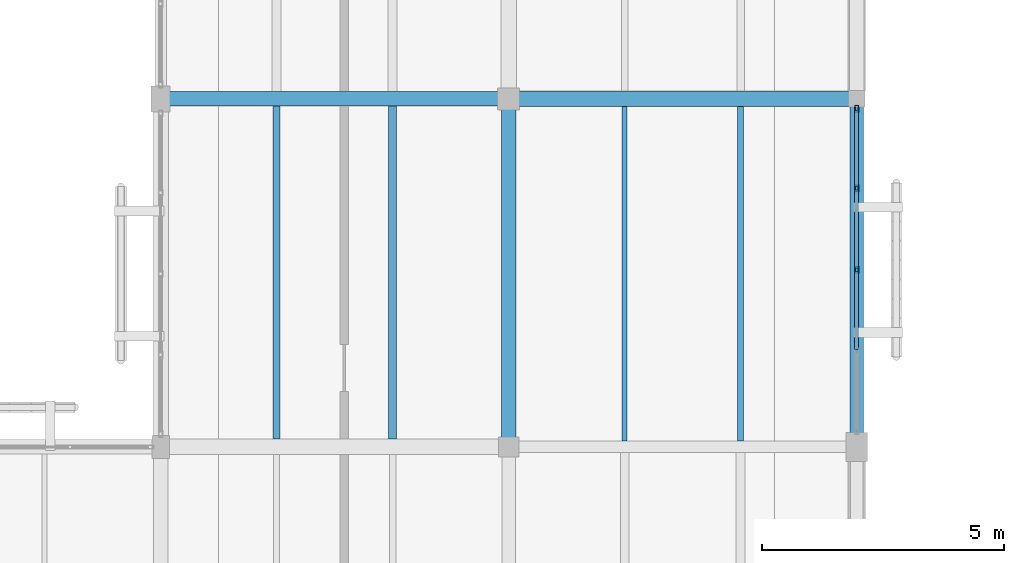
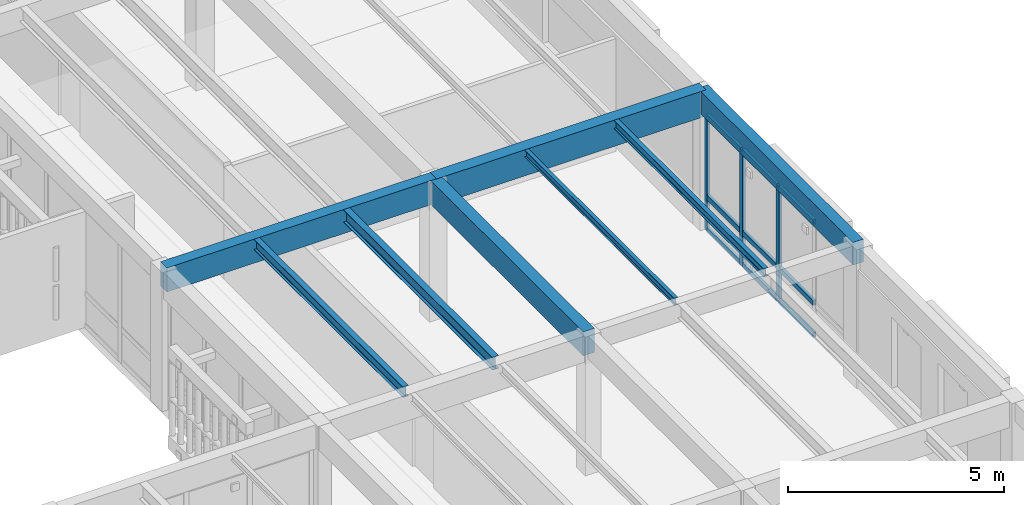
# One storey, part 34 of 112: 12 members, 8 beams, 1 element without a shape of its own.
"""IFC4 building model written with IfcOpenShell, lengths in metres."""

from ifc_helpers import new_model, si_unit, direction, frame, origin, origin_2d, place, context, subcontext, project, spatial, rectangle, hollow_rectangle, i_section, extrude, material, layer, layer_set, material_profile, profile_set, type_object, element, aggregate, save


model = new_model("IFC4")

# Units and contexts
model_context = context("Model", 3, precision=1e-05, world=origin(), true_north=direction((0.0, 1.0)))
body_context = subcontext(model_context, "Body", "Model", "MODEL_VIEW")
ifc_project = project(units=[si_unit("LENGTHUNIT", "METRE"), si_unit("AREAUNIT", "SQUARE_METRE"), si_unit("VOLUMEUNIT", "CUBIC_METRE"), si_unit("PLANEANGLEUNIT", "RADIAN"), si_unit("MASSUNIT", "GRAM", prefix="KILO")], contexts=[model_context])

# Site, building, storey
site_placement = place(None, origin())
site = spatial("IfcSite", under=ifc_project, at=site_placement, CompositionType="ELEMENT")
building_placement = place(site_placement, origin())
building = spatial("IfcBuilding", under=site, at=building_placement, Name="Mazaris Harbour Polytechnic", CompositionType="ELEMENT")
storey_placement = place(building_placement, frame((0.0, 0.0, 13.800048828125)))
storey = spatial("IfcBuildingStorey", under=building, at=storey_placement, Name="L03", CompositionType="ELEMENT", Elevation=13.800048828125)

# Curtain wall, members
ifc_material_1 = material(Name="Anodised Bronze Aluminium and Low-E Glass", Category="aluminium")
ifc_layer = layer(ifc_material_1, 0.159912109375, Name="Anodised Bronze Aluminium and Low-E Glass")
ifc_layer_set = layer_set([ifc_layer], Name="Anodised Bronze Aluminium and Low-E Glass")
curtain_wall_type = type_object("IfcCurtainWallType", Name="Cloister Court Curtain Wall", PredefinedType="NOTDEFINED", material=ifc_layer_set)
curtain_wall_placement = place(storey_placement, origin())
curtain_wall = element("IfcCurtainWall", 1, at=curtain_wall_placement, inside=storey, type_object=curtain_wall_type, Name="V4 L03 Curtain Wall 146", PredefinedType="NOTDEFINED")
ifc_material_2 = material(Name="Anodised Bronze Steel S355", Category="steel")
ifc_material_profile_1 = material_profile(ifc_material_2, hollow_rectangle(XDim=0.080078125, YDim=0.139892578125, WallThickness=0.00634765625, at=origin_2d()), Name="RHS 80x140x6.3")
ifc_profile_set_1 = profile_set([ifc_material_profile_1], Name="Anodised Bronze Steel S355")
member_type_1 = type_object("IfcMemberType", Name="Curtain Mullion RHS80x140", PredefinedType="MULLION", material=ifc_profile_set_1)
member_1_placement = place(storey_placement, frame((43.199951171875, 42.998046875, 0.0), z_axis=(0.0, 0.0, 1.0), x_axis=(1.0, 0.0, 0.0)))
member_1 = element("IfcMember", 2, at=member_1_placement, type_object=member_type_1, Name="CW-02 mullion 1", PredefinedType="MULLION", context=body_context, shape_type="SweptSolid", body=[
    extrude(hollow_rectangle(XDim=0.080078125, YDim=0.139892578125, WallThickness=0.00634765625, at=origin_2d()), origin(), (0.0, 0.0, 1.0), 3.27001953125),
])
member_2_placement = place(storey_placement, frame((43.199951171875, 41.3515625, 0.0), z_axis=(0.0, 0.0, 1.0), x_axis=(1.0, 0.0, 0.0)))
member_2 = element("IfcMember", 3, at=member_2_placement, type_object=member_type_1, Name="CW-02 mullion 2", PredefinedType="MULLION", context=body_context, shape_type="SweptSolid", body=[
    extrude(hollow_rectangle(XDim=0.080078125, YDim=0.139892578125, WallThickness=0.00634765625, at=origin_2d()), origin(), (0.0, 0.0, 1.0), 3.27001953125),
])
member_3_placement = place(storey_placement, frame((43.199951171875, 39.6650390625, 0.0), z_axis=(0.0, 0.0, 1.0), x_axis=(1.0, 0.0, 0.0)))
member_3 = element("IfcMember", 4, at=member_3_placement, type_object=member_type_1, Name="CW-02 mullion 3", PredefinedType="MULLION", context=body_context, shape_type="SweptSolid", body=[
    extrude(hollow_rectangle(XDim=0.080078125, YDim=0.139892578125, WallThickness=0.00634765625, at=origin_2d()), origin(), (0.0, 0.0, 1.0), 3.27001953125),
])
ifc_material_3 = material(Name="Anodised Bronze Steel S355", Category="steel")
ifc_material_profile_2 = material_profile(ifc_material_3, hollow_rectangle(XDim=0.080078125, YDim=0.139892578125, WallThickness=0.00634765625, at=origin_2d()), Name="RHS 80x140x6.3")
ifc_profile_set_2 = profile_set([ifc_material_profile_2], Name="Anodised Bronze Steel S355")
member_type_2 = type_object("IfcMemberType", Name="Curtain Transom RHS80x140", PredefinedType="USERDEFINED", material=ifc_profile_set_2)
member_4_placement = place(storey_placement, frame((43.199951171875, 42.9580078125, 0.0400390625), z_axis=(0.0, -1.0, 0.0), x_axis=(1.0, 0.0, 0.0)))
member_4 = element("IfcMember", 5, at=member_4_placement, type_object=member_type_2, Name="CW-02 transom 1.1", ObjectType="TRANSOM", PredefinedType="USERDEFINED", context=body_context, shape_type="SweptSolid", body=[
    extrude(hollow_rectangle(XDim=0.080078125, YDim=0.139892578125, WallThickness=0.00634765625, at=origin_2d()), origin(), (0.0, 0.0, 1.0), 1.56640625),
])
member_5_placement = place(storey_placement, frame((43.199951171875, 42.9580078125, 0.949951171875), z_axis=(0.0, -1.0, 0.0), x_axis=(1.0, 0.0, 0.0)))
member_5 = element("IfcMember", 6, at=member_5_placement, type_object=member_type_2, Name="CW-02 transom 1.2", ObjectType="TRANSOM", PredefinedType="USERDEFINED", context=body_context, shape_type="SweptSolid", body=[
    extrude(hollow_rectangle(XDim=0.080078125, YDim=0.139892578125, WallThickness=0.00634765625, at=origin_2d()), origin(), (0.0, 0.0, 1.0), 1.56640625),
])
member_6_placement = place(storey_placement, frame((43.199951171875, 42.9580078125, 3.22998046875), z_axis=(0.0, -1.0, 0.0), x_axis=(1.0, 0.0, 0.0)))
member_6 = element("IfcMember", 7, at=member_6_placement, type_object=member_type_2, Name="CW-02 transom 1.3", ObjectType="TRANSOM", PredefinedType="USERDEFINED", context=body_context, shape_type="SweptSolid", body=[
    extrude(hollow_rectangle(XDim=0.080078125, YDim=0.139892578125, WallThickness=0.00634765625, at=origin_2d()), origin(), (0.0, 0.0, 1.0), 1.56640625),
])
member_7_placement = place(storey_placement, frame((43.199951171875, 41.3115234375, 0.0400390625), z_axis=(0.0, -1.0, 0.0), x_axis=(1.0, 0.0, 0.0)))
member_7 = element("IfcMember", 8, at=member_7_placement, type_object=member_type_2, Name="CW-02 transom 2.1", ObjectType="TRANSOM", PredefinedType="USERDEFINED", context=body_context, shape_type="SweptSolid", body=[
    extrude(hollow_rectangle(XDim=0.080078125, YDim=0.139892578125, WallThickness=0.00634765625, at=origin_2d()), origin(), (0.0, 0.0, 1.0), 1.6064453125),
])
member_8_placement = place(storey_placement, frame((43.199951171875, 41.3115234375, 0.949951171875), z_axis=(0.0, -1.0, 0.0), x_axis=(1.0, 0.0, 0.0)))
member_8 = element("IfcMember", 9, at=member_8_placement, type_object=member_type_2, Name="CW-02 transom 2.2", ObjectType="TRANSOM", PredefinedType="USERDEFINED", context=body_context, shape_type="SweptSolid", body=[
    extrude(hollow_rectangle(XDim=0.080078125, YDim=0.139892578125, WallThickness=0.00634765625, at=origin_2d()), origin(), (0.0, 0.0, 1.0), 1.6064453125),
])
member_9_placement = place(storey_placement, frame((43.199951171875, 41.3115234375, 3.22998046875), z_axis=(0.0, -1.0, 0.0), x_axis=(1.0, 0.0, 0.0)))
member_9 = element("IfcMember", 10, at=member_9_placement, type_object=member_type_2, Name="CW-02 transom 2.3", ObjectType="TRANSOM", PredefinedType="USERDEFINED", context=body_context, shape_type="SweptSolid", body=[
    extrude(hollow_rectangle(XDim=0.080078125, YDim=0.139892578125, WallThickness=0.00634765625, at=origin_2d()), origin(), (0.0, 0.0, 1.0), 1.6064453125),
])
member_10_placement = place(storey_placement, frame((43.199951171875, 39.625, 0.0400390625), z_axis=(0.0, -1.0, 0.0), x_axis=(1.0, 0.0, 0.0)))
member_10 = element("IfcMember", 11, at=member_10_placement, type_object=member_type_2, Name="CW-02 transom 3.1", ObjectType="TRANSOM", PredefinedType="USERDEFINED", context=body_context, shape_type="SweptSolid", body=[
    extrude(hollow_rectangle(XDim=0.080078125, YDim=0.139892578125, WallThickness=0.00634765625, at=origin_2d()), origin(), (0.0, 0.0, 1.0), 1.6064453125),
])
member_11_placement = place(storey_placement, frame((43.199951171875, 39.625, 0.949951171875), z_axis=(0.0, -1.0, 0.0), x_axis=(1.0, 0.0, 0.0)))
member_11 = element("IfcMember", 12, at=member_11_placement, type_object=member_type_2, Name="CW-02 transom 3.2", ObjectType="TRANSOM", PredefinedType="USERDEFINED", context=body_context, shape_type="SweptSolid", body=[
    extrude(hollow_rectangle(XDim=0.080078125, YDim=0.139892578125, WallThickness=0.00634765625, at=origin_2d()), origin(), (0.0, 0.0, 1.0), 1.6064453125),
])
member_12_placement = place(storey_placement, frame((43.199951171875, 39.625, 3.22998046875), z_axis=(0.0, -1.0, 0.0), x_axis=(1.0, 0.0, 0.0)))
member_12 = element("IfcMember", 13, at=member_12_placement, type_object=member_type_2, Name="CW-02 transom 3.3", ObjectType="TRANSOM", PredefinedType="USERDEFINED", context=body_context, shape_type="SweptSolid", body=[
    extrude(hollow_rectangle(XDim=0.080078125, YDim=0.139892578125, WallThickness=0.00634765625, at=origin_2d()), origin(), (0.0, 0.0, 1.0), 1.6064453125),
])
aggregate(curtain_wall, [member_1, member_2, member_3, member_4, member_5, member_6, member_7, member_8, member_9, member_10, member_11, member_12])

# Beams
ifc_material_4 = material(Name="Glulam GL32h", Category="wood")
ifc_material_profile_3 = material_profile(ifc_material_4, rectangle(XDim=0.280029296875, YDim=0.639892578125, at=origin_2d()), Name="RECT280x640")
ifc_profile_set_3 = profile_set([ifc_material_profile_3], Name="Glulam GL32h")
beam_type_1 = type_object("IfcBeamType", Name="Glulam Girder 280x640 Exterior", PredefinedType="BEAM", material=ifc_profile_set_3)
beam_1_placement = place(storey_placement, frame((43.199951171875, 36.0, 3.599853515625), z_axis=(0.0, 1.0, 0.0), x_axis=(-1.0, 0.0, 0.0)))
element("IfcBeam", 14, at=beam_1_placement, inside=storey, type_object=beam_type_1, Name="V4 L03 Tie Girder 2272", PredefinedType="BEAM", context=body_context, shape_type="SweptSolid", body=[
    extrude(rectangle(XDim=0.280029296875, YDim=0.639892578125, at=origin_2d()), origin(), (0.0, 0.0, 1.0), 7.199951171875),
])
ifc_material_5 = material(Name="Glulam GL32h", Category="wood")
ifc_material_profile_4 = material_profile(ifc_material_5, rectangle(XDim=0.300048828125, YDim=0.679931640625, at=origin_2d()), Name="RECT300x680")
ifc_profile_set_4 = profile_set([ifc_material_profile_4], Name="Glulam GL32h")
beam_type_2 = type_object("IfcBeamType", Name="Glulam Girder 300x680", PredefinedType="BEAM", material=ifc_profile_set_4)
for number, where, z_axis, x_axis, name in (
    (15, (28.800048828125, 43.199951171875, 3.579833984375), (1.0, 0.0, 0.0), (0.0, 1.0, 0.0), "V4 L03 Girder 2198"),
    (16, (36.0, 36.0, 3.579833984375), (0.0, 1.0, 0.0), (-1.0, 0.0, 0.0), "V4 L03 Tie Girder 2263"),
):
    element("IfcBeam", number, at=place(storey_placement, frame(where, z_axis=z_axis, x_axis=x_axis)), inside=storey, type_object=beam_type_2, Name=name, PredefinedType="BEAM", context=body_context, shape_type="SweptSolid", body=[
        extrude(rectangle(XDim=0.300048828125, YDim=0.679931640625, at=origin_2d()), origin(), (0.0, 0.0, 1.0), 7.199951171875),
    ])
ifc_material_6 = material(Name="Glulam GL32h", Category="wood")
ifc_material_profile_5 = material_profile(ifc_material_6, rectangle(XDim=0.320068359375, YDim=0.739990234375, at=origin_2d()), Name="RECT320x740")
ifc_profile_set_5 = profile_set([ifc_material_profile_5], Name="Glulam GL32h")
beam_type_3 = type_object("IfcBeamType", Name="Glulam Girder 320x740", PredefinedType="BEAM", material=ifc_profile_set_5)
beam_2_placement = place(storey_placement, frame((36.0, 43.199951171875, 3.550048828125), z_axis=(1.0, 0.0, 0.0), x_axis=(0.0, 1.0, 0.0)))
element("IfcBeam", 17, at=beam_2_placement, inside=storey, type_object=beam_type_3, Name="V4 L03 Girder 2199", PredefinedType="BEAM", context=body_context, shape_type="SweptSolid", body=[
    extrude(rectangle(XDim=0.320068359375, YDim=0.739990234375, at=origin_2d()), origin(), (0.0, 0.0, 1.0), 7.199951171875),
])
ifc_material_7 = material(Name="Steel S355", Category="steel")
ifc_material_profile_6 = material_profile(ifc_material_7, i_section(OverallWidth=0.10009765625, OverallDepth=0.199951171875, WebThickness=0.005615234375, FlangeThickness=0.008544921875, FilletRadius=0.011962890625, at=origin_2d()), Name="IPE 200")
ifc_profile_set_6 = profile_set([ifc_material_profile_6], Name="Steel S355")
beam_type_4 = type_object("IfcBeamType", Name="Steel Joist IPE200", PredefinedType="JOIST", material=ifc_profile_set_6)
beam_3_placement = place(storey_placement, frame((38.39990234375, 36.1201171875, 3.820068359375), z_axis=(0.0, 1.0, 0.0), x_axis=(-1.0, 0.0, 0.0)))
element("IfcBeam", 18, at=beam_3_placement, inside=storey, type_object=beam_type_4, Name="V4 L03 Floor Joist 2352", PredefinedType="JOIST", context=body_context, shape_type="SweptSolid", body=[
    extrude(i_section(OverallWidth=0.10009765625, OverallDepth=0.199951171875, WebThickness=0.005615234375, FlangeThickness=0.008544921875, FilletRadius=0.011962890625, at=origin_2d()), origin(), (0.0, 0.0, 1.0), 6.919921875),
])
ifc_material_8 = material(Name="Steel S355", Category="steel")
ifc_material_profile_7 = material_profile(ifc_material_8, i_section(OverallWidth=0.1201171875, OverallDepth=0.239990234375, WebThickness=0.006103515625, FlangeThickness=0.009765625, FilletRadius=0.014892578125, at=origin_2d()), Name="IPE 240")
ifc_profile_set_7 = profile_set([ifc_material_profile_7], Name="Steel S355")
beam_type_5 = type_object("IfcBeamType", Name="Steel Joist IPE240", PredefinedType="JOIST", material=ifc_profile_set_7)
beam_4_placement = place(storey_placement, frame((40.800048828125, 36.1201171875, 3.800048828125), z_axis=(0.0, 1.0, 0.0), x_axis=(-1.0, 0.0, 0.0)))
element("IfcBeam", 19, at=beam_4_placement, inside=storey, type_object=beam_type_5, Name="V4 L03 Floor Joist 2353", PredefinedType="JOIST", context=body_context, shape_type="SweptSolid", body=[
    extrude(i_section(OverallWidth=0.1201171875, OverallDepth=0.239990234375, WebThickness=0.006103515625, FlangeThickness=0.009765625, FilletRadius=0.014892578125, at=origin_2d()), origin(), (0.0, 0.0, 1.0), 6.919921875),
])
ifc_material_9 = material(Name="Steel S355", Category="steel")
ifc_material_profile_8 = material_profile(ifc_material_9, i_section(OverallWidth=0.14990234375, OverallDepth=0.300048828125, WebThickness=0.007080078125, FlangeThickness=0.0107421875, FilletRadius=0.014892578125, at=origin_2d()), Name="IPE 300")
ifc_profile_set_8 = profile_set([ifc_material_profile_8], Name="Steel S355")
beam_type_6 = type_object("IfcBeamType", Name="Steel Joist IPE300", PredefinedType="JOIST", material=ifc_profile_set_8)
beam_5_placement = place(storey_placement, frame((31.199951171875, 36.159912109375, 3.77001953125), z_axis=(0.0, 1.0, 0.0), x_axis=(-1.0, 0.0, 0.0)))
element("IfcBeam", 20, at=beam_5_placement, inside=storey, type_object=beam_type_6, Name="V4 L03 Floor Joist 2334", PredefinedType="JOIST", context=body_context, shape_type="SweptSolid", body=[
    extrude(i_section(OverallWidth=0.14990234375, OverallDepth=0.300048828125, WebThickness=0.007080078125, FlangeThickness=0.0107421875, FilletRadius=0.014892578125, at=origin_2d()), origin(), (0.0, 0.0, 1.0), 6.89013671875),
])
ifc_material_10 = material(Name="Steel S355", Category="steel")
ifc_material_profile_9 = material_profile(ifc_material_10, i_section(OverallWidth=0.169921875, OverallDepth=0.360107421875, WebThickness=0.008056640625, FlangeThickness=0.0126953125, FilletRadius=0.01806640625, at=origin_2d()), Name="IPE 360")
ifc_profile_set_9 = profile_set([ifc_material_profile_9], Name="Steel S355")
beam_type_7 = type_object("IfcBeamType", Name="Steel Joist IPE360", PredefinedType="JOIST", material=ifc_profile_set_9)
beam_6_placement = place(storey_placement, frame((33.60009765625, 36.159912109375, 3.739990234375), z_axis=(0.0, 1.0, 0.0), x_axis=(-1.0, 0.0, 0.0)))
element("IfcBeam", 21, at=beam_6_placement, inside=storey, type_object=beam_type_7, Name="V4 L03 Floor Joist 2335", PredefinedType="JOIST", context=body_context, shape_type="SweptSolid", body=[
    extrude(i_section(OverallWidth=0.169921875, OverallDepth=0.360107421875, WebThickness=0.008056640625, FlangeThickness=0.0126953125, FilletRadius=0.01806640625, at=origin_2d()), origin(), (0.0, 0.0, 1.0), 6.89013671875),
])

save(model, "model.ifc")
